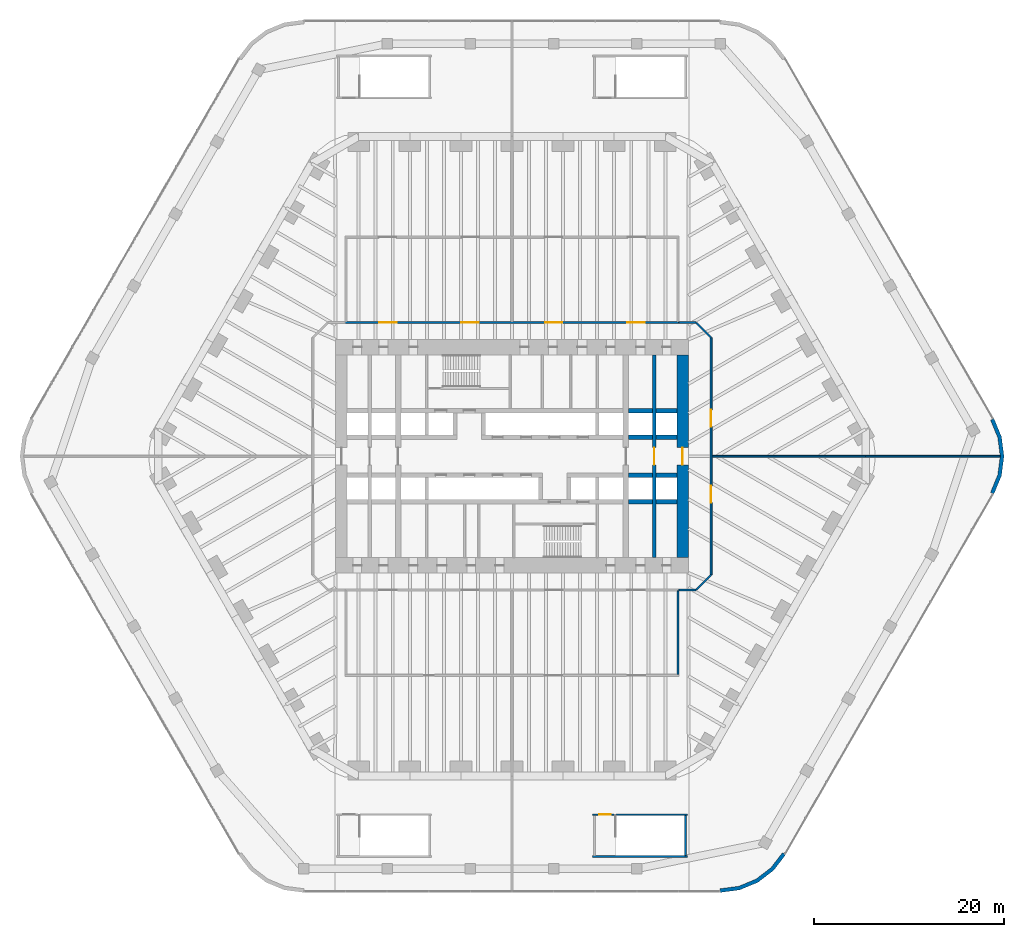
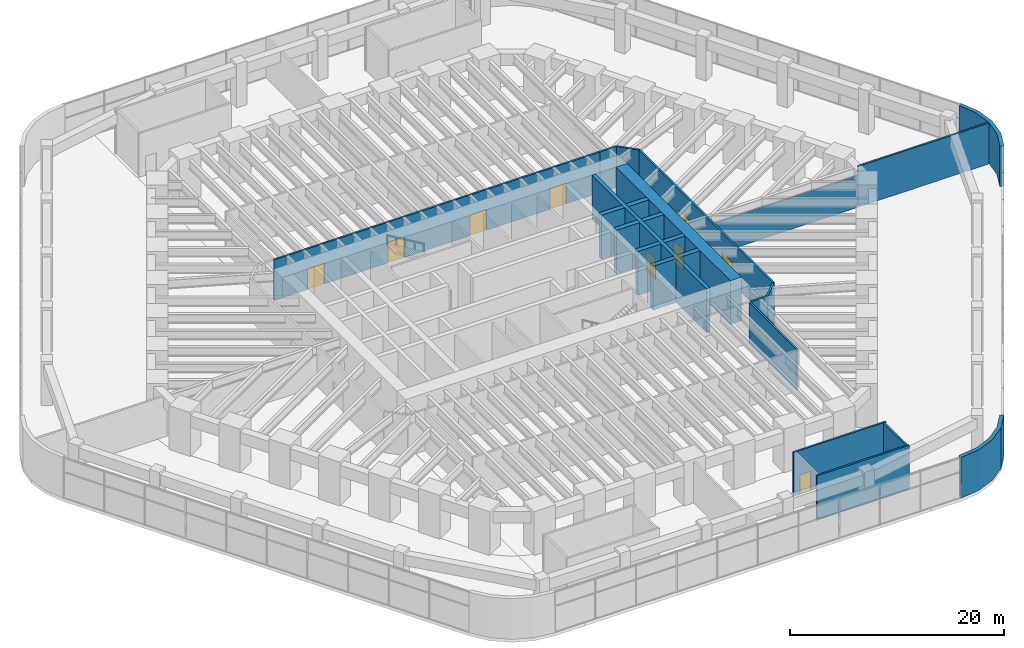
# One storey, part 29 of 31: 24 walls, 9 doors, 9 openings.
"""IFC4 building model written with IfcOpenShell, lengths in metres."""

from ifc_helpers import new_model, si_unit, direction, frame, frame_2d, origin, place, context, subcontext, project, spatial, polyline, rectangle, outline, extrude, material, layer, layer_set, type_object, element, fill, save


model = new_model("IFC4")

# Units and contexts
model_context = context("Model", 3, precision=1e-05, world=origin(), true_north=direction((0.0, 1.0)))
body_context = subcontext(model_context, "Body", "Model", "MODEL_VIEW")
ifc_project = project(units=[si_unit("LENGTHUNIT", "METRE"), si_unit("AREAUNIT", "SQUARE_METRE"), si_unit("VOLUMEUNIT", "CUBIC_METRE"), si_unit("PLANEANGLEUNIT", "RADIAN"), si_unit("MASSUNIT", "GRAM", prefix="KILO")], contexts=[model_context])

# Site, building, storey
site_placement = place(None, origin())
site = spatial("IfcSite", under=ifc_project, at=site_placement, CompositionType="ELEMENT")
building_placement = place(site_placement, origin())
building = spatial("IfcBuilding", under=site, at=building_placement, Name="Tarfa Lantern Tower", CompositionType="ELEMENT")
storey_placement = place(building_placement, frame((0.0, 0.0, 18.5)))
storey = spatial("IfcBuildingStorey", under=building, at=storey_placement, Name="L03", CompositionType="ELEMENT", Elevation=18.5)

# Walls
ifc_material_1 = material(Name="Limestone cladding on blockwork", Category="masonry")
ifc_layer_1 = layer(ifc_material_1, 0.39990234375)
ifc_layer_set_1 = layer_set([ifc_layer_1], Name="EW2 CURVED STONE CORNER 400")
wall_type_1 = type_object("IfcWallType", Name="EW2 CURVED STONE CORNER 400", PredefinedType="SOLIDWALL", material=ifc_layer_set_1)
wall_1_placement = place(storey_placement, origin())
element("IfcWall", 1, at=wall_1_placement, inside=storey, type_object=wall_type_1, Name="Stone corner S-SE", PredefinedType="SOLIDWALL", context=body_context, shape_type="SweptSolid", body=[
    extrude(outline(polyline([(21.939208984375, -46.0), (24.009765625, -45.727294921875), (25.939208984375, -44.92822265625), (27.59619140625, -43.65673828125), (28.867431640625, -42.0), (28.52099609375, -41.800048828125), (27.313232421875, -43.3740234375), (25.7392578125, -44.581787109375), (23.90625, -45.341064453125), (21.939208984375, -45.60009765625), (21.939208984375, -46.0)])), origin(), (0.0, 0.0, 1.0), 4.64990234375),
])
wall_2_placement = place(storey_placement, origin())
element("IfcWall", 2, at=wall_2_placement, inside=storey, type_object=wall_type_1, Name="Stone corner SE-NE", PredefinedType="SOLIDWALL", context=body_context, shape_type="SweptSolid", body=[
    extrude(outline(polyline([(50.806884765625, -4.0), (51.60595703125, -2.070556640625), (51.878662109375, 0.0), (51.60595703125, 2.070556640625), (50.806884765625, 4.0), (50.46044921875, 3.800048828125), (51.2197265625, 1.967041015625), (51.478515625, 0.0), (51.2197265625, -1.967041015625), (50.46044921875, -3.800048828125), (50.806884765625, -4.0)])), origin(), (0.0, 0.0, 1.0), 4.64990234375),
])

# Wall, openings, doors
ifc_material_2 = material(Name="Gypsum board on steel studs", Category="steel")
ifc_layer_2 = layer(ifc_material_2, 0.2099609375)
ifc_layer_set_2 = layer_set([ifc_layer_2], Name="IW2 ACOUSTIC PARTITION 200")
wall_type_2 = type_object("IfcWallType", Name="IW2 ACOUSTIC PARTITION 200", PredefinedType="PARTITIONING", material=ifc_layer_set_2)
wall_3_placement = place(storey_placement, frame((-17.60009765625, 14.10009765625, 0.0), z_axis=(0.0, 0.0, 1.0), x_axis=(1.0, 0.0, 0.0)))
wall_3 = element("IfcWall", 3, at=wall_3_placement, inside=storey, type_object=wall_type_2, Name="Partition", PredefinedType="PARTITIONING", context=body_context, shape_type="SweptSolid", body=[
    extrude(rectangle(XDim=35.2001953125, YDim=0.199951171875, at=frame_2d((17.60009765625, 0.0))), origin(), (0.0, 0.0, 1.0), 4.64990234375),
])
opening_1_placement = place(wall_3_placement, frame((3.625, 0.0, 0.0)))
opening_1 = element("IfcOpeningElement", 4, at=opening_1_placement, cuts=wall_3, Name="Opening D33", PredefinedType="OPENING", context=body_context, shape_type="SweptSolid", body=[
    extrude(rectangle(XDim=1.800048828125, YDim=2.39990234375, at=frame_2d((0.89990234375, 1.199951171875))), frame((0.0, 0.10986328125, 0.0), z_axis=(0.0, -1.0, 0.0), x_axis=(1.0, 0.0, 0.0)), (0.0, 0.0, 1.0), 0.219970703125),
])
opening_2_placement = place(wall_3_placement, frame((12.27490234375, 0.0, 0.0)))
opening_2 = element("IfcOpeningElement", 5, at=opening_2_placement, cuts=wall_3, Name="Opening D34", PredefinedType="OPENING", context=body_context, shape_type="SweptSolid", body=[
    extrude(rectangle(XDim=1.800048828125, YDim=2.39990234375, at=frame_2d((0.89990234375, 1.199951171875))), frame((0.0, 0.10986328125, 0.0), z_axis=(0.0, -1.0, 0.0), x_axis=(1.0, 0.0, 0.0)), (0.0, 0.0, 1.0), 0.219970703125),
])
opening_3_placement = place(wall_3_placement, frame((21.125, 0.0, 0.0)))
opening_3 = element("IfcOpeningElement", 6, at=opening_3_placement, cuts=wall_3, Name="Opening D35", PredefinedType="OPENING", context=body_context, shape_type="SweptSolid", body=[
    extrude(rectangle(XDim=1.800048828125, YDim=2.39990234375, at=frame_2d((0.89990234375, 1.199951171875))), frame((0.0, 0.10986328125, 0.0), z_axis=(0.0, -1.0, 0.0), x_axis=(1.0, 0.0, 0.0)), (0.0, 0.0, 1.0), 0.219970703125),
])
opening_4_placement = place(wall_3_placement, frame((29.77490234375, 0.0, 0.0)))
opening_4 = element("IfcOpeningElement", 7, at=opening_4_placement, cuts=wall_3, Name="Opening D36", PredefinedType="OPENING", context=body_context, shape_type="SweptSolid", body=[
    extrude(rectangle(XDim=1.800048828125, YDim=2.39990234375, at=frame_2d((0.89990234375, 1.199951171875))), frame((0.0, 0.10986328125, 0.0), z_axis=(0.0, -1.0, 0.0), x_axis=(1.0, 0.0, 0.0)), (0.0, 0.0, 1.0), 0.219970703125),
])
ifc_material_3 = material(Name="Timber door", Category="wood")
door_type_1 = type_object("IfcDoorType", Name="DR2 ROOM DOOR 1800x2400", OperationType="DOUBLE_DOOR_SINGLE_SWING", PredefinedType="DOOR", material=ifc_material_3)
door_1_placement = place(opening_1_placement, origin())
door_1 = element("IfcDoor", 8, at=door_1_placement, inside=storey, type_object=door_type_1, Name="Training room door", OperationType="DOUBLE_DOOR_SINGLE_SWING", OverallHeight=2.39990234375, OverallWidth=1.800048828125, PredefinedType="DOOR", context=body_context, shape_type="SweptSolid", body=[
    extrude(rectangle(XDim=1.800048828125, YDim=2.39990234375, at=frame_2d((0.89990234375, 1.199951171875))), frame((0.0, 0.02490234375, 0.0), z_axis=(0.0, -1.0, 0.0), x_axis=(1.0, 0.0, 0.0)), (0.0, 0.0, 1.0), 0.050048828125),
])
fill(opening_1, door_1)
door_2_placement = place(opening_2_placement, origin())
door_2 = element("IfcDoor", 9, at=door_2_placement, inside=storey, type_object=door_type_1, Name="Training room door", OperationType="DOUBLE_DOOR_SINGLE_SWING", OverallHeight=2.39990234375, OverallWidth=1.800048828125, PredefinedType="DOOR", context=body_context, shape_type="SweptSolid", body=[
    extrude(rectangle(XDim=1.800048828125, YDim=2.39990234375, at=frame_2d((0.89990234375, 1.199951171875))), frame((0.0, 0.02490234375, 0.0), z_axis=(0.0, -1.0, 0.0), x_axis=(1.0, 0.0, 0.0)), (0.0, 0.0, 1.0), 0.050048828125),
])
fill(opening_2, door_2)
door_3_placement = place(opening_3_placement, origin())
door_3 = element("IfcDoor", 10, at=door_3_placement, inside=storey, type_object=door_type_1, Name="Training room door", OperationType="DOUBLE_DOOR_SINGLE_SWING", OverallHeight=2.39990234375, OverallWidth=1.800048828125, PredefinedType="DOOR", context=body_context, shape_type="SweptSolid", body=[
    extrude(rectangle(XDim=1.800048828125, YDim=2.39990234375, at=frame_2d((0.89990234375, 1.199951171875))), frame((0.0, 0.02490234375, 0.0), z_axis=(0.0, -1.0, 0.0), x_axis=(1.0, 0.0, 0.0)), (0.0, 0.0, 1.0), 0.050048828125),
])
fill(opening_3, door_3)
door_4_placement = place(opening_4_placement, origin())
door_4 = element("IfcDoor", 11, at=door_4_placement, inside=storey, type_object=door_type_1, Name="Training room door", OperationType="DOUBLE_DOOR_SINGLE_SWING", OverallHeight=2.39990234375, OverallWidth=1.800048828125, PredefinedType="DOOR", context=body_context, shape_type="SweptSolid", body=[
    extrude(rectangle(XDim=1.800048828125, YDim=2.39990234375, at=frame_2d((0.89990234375, 1.199951171875))), frame((0.0, 0.02490234375, 0.0), z_axis=(0.0, -1.0, 0.0), x_axis=(1.0, 0.0, 0.0)), (0.0, 0.0, 1.0), 0.050048828125),
])
fill(opening_4, door_4)

# Walls
wall_4_placement = place(storey_placement, frame((17.5, -14.199951171875, 0.0), z_axis=(0.0, 0.0, 1.0), x_axis=(0.0, -1.0, 0.0)))
element("IfcWall", 12, at=wall_4_placement, inside=storey, type_object=wall_type_2, Name="Partition", PredefinedType="PARTITIONING", context=body_context, shape_type="SweptSolid", body=[
    extrude(rectangle(XDim=8.800048828125, YDim=0.199951171875, at=frame_2d((4.39990234375, 0.0))), origin(), (0.0, 0.0, 1.0), 4.64990234375),
])
wall_5_placement = place(storey_placement, frame((17.60009765625, 14.10009765625, 0.0), z_axis=(0.0, 0.0, 1.0), x_axis=(1.0, 0.0, 0.0)))
element("IfcWall", 13, at=wall_5_placement, inside=storey, type_object=wall_type_2, Name="Partition", PredefinedType="PARTITIONING", context=body_context, shape_type="SweptSolid", body=[
    extrude(rectangle(XDim=1.7998046875, YDim=0.199951171875, at=frame_2d((0.89990234375, 0.0))), origin(), (0.0, 0.0, 1.0), 4.64990234375),
])
wall_6_placement = place(storey_placement, frame((19.39990234375, 14.10009765625, 0.0), z_axis=(0.0, 0.0, 1.0), x_axis=(0.707106781187, -0.707106781187, 0.0)))
element("IfcWall", 14, at=wall_6_placement, inside=storey, type_object=wall_type_2, Name="Partition", PredefinedType="PARTITIONING", context=body_context, shape_type="SweptSolid", body=[
    extrude(rectangle(XDim=2.262939453125, YDim=0.199951171875, at=frame_2d((1.13134765625, 0.0))), origin(), (0.0, 0.0, 1.0), 4.64990234375),
])

# Wall, openings, doors
wall_7_placement = place(storey_placement, frame((21.0, 12.5, 0.0), z_axis=(0.0, 0.0, 1.0), x_axis=(0.0, -1.0, 0.0)))
wall_7 = element("IfcWall", 15, at=wall_7_placement, inside=storey, type_object=wall_type_2, Name="Partition", PredefinedType="PARTITIONING", context=body_context, shape_type="SweptSolid", body=[
    extrude(rectangle(XDim=25.0, YDim=0.199951171875, at=frame_2d((12.5, 0.0))), origin(), (0.0, 0.0, 1.0), 4.64990234375),
])
opening_5_placement = place(wall_7_placement, frame((7.60009765625, 0.0, 0.0)))
opening_5 = element("IfcOpeningElement", 16, at=opening_5_placement, cuts=wall_7, Name="Opening D48", PredefinedType="OPENING", context=body_context, shape_type="SweptSolid", body=[
    extrude(rectangle(XDim=1.800048828125, YDim=2.39990234375, at=frame_2d((0.89990234375, 1.199951171875))), frame((0.0, 0.10986328125, 0.0), z_axis=(0.0, -1.0, 0.0), x_axis=(1.0, 0.0, 0.0)), (0.0, 0.0, 1.0), 0.219970703125),
])
opening_6_placement = place(wall_7_placement, frame((15.60009765625, 0.0, 0.0)))
opening_6 = element("IfcOpeningElement", 17, at=opening_6_placement, cuts=wall_7, Name="Opening D50", PredefinedType="OPENING", context=body_context, shape_type="SweptSolid", body=[
    extrude(rectangle(XDim=1.800048828125, YDim=2.39990234375, at=frame_2d((0.89990234375, 1.199951171875))), frame((0.0, 0.10986328125, 0.0), z_axis=(0.0, -1.0, 0.0), x_axis=(1.0, 0.0, 0.0)), (0.0, 0.0, 1.0), 0.219970703125),
])
door_5_placement = place(opening_5_placement, origin())
door_5 = element("IfcDoor", 18, at=door_5_placement, inside=storey, type_object=door_type_1, Name="Occupational health centre door", OperationType="DOUBLE_DOOR_SINGLE_SWING", OverallHeight=2.39990234375, OverallWidth=1.800048828125, PredefinedType="DOOR", context=body_context, shape_type="SweptSolid", body=[
    extrude(rectangle(XDim=1.800048828125, YDim=2.39990234375, at=frame_2d((0.89990234375, 1.199951171875))), frame((0.0, 0.02490234375, 0.0), z_axis=(0.0, -1.0, 0.0), x_axis=(1.0, 0.0, 0.0)), (0.0, 0.0, 1.0), 0.050048828125),
])
fill(opening_5, door_5)
door_6_placement = place(opening_6_placement, origin())
door_6 = element("IfcDoor", 19, at=door_6_placement, inside=storey, type_object=door_type_1, Name="Human resources workplace door", OperationType="DOUBLE_DOOR_SINGLE_SWING", OverallHeight=2.39990234375, OverallWidth=1.800048828125, PredefinedType="DOOR", context=body_context, shape_type="SweptSolid", body=[
    extrude(rectangle(XDim=1.800048828125, YDim=2.39990234375, at=frame_2d((0.89990234375, 1.199951171875))), frame((0.0, 0.02490234375, 0.0), z_axis=(0.0, -1.0, 0.0), x_axis=(1.0, 0.0, 0.0)), (0.0, 0.0, 1.0), 0.050048828125),
])
fill(opening_6, door_6)

# Walls
wall_8_placement = place(storey_placement, frame((21.0, -12.5, 0.0), z_axis=(0.0, 0.0, 1.0), x_axis=(-0.707106781187, -0.707106781187, 0.0)))
element("IfcWall", 20, at=wall_8_placement, inside=storey, type_object=wall_type_2, Name="Partition", PredefinedType="PARTITIONING", context=body_context, shape_type="SweptSolid", body=[
    extrude(rectangle(XDim=2.262939453125, YDim=0.199951171875, at=frame_2d((1.13134765625, 0.0))), origin(), (0.0, 0.0, 1.0), 4.64990234375),
])
wall_9_placement = place(storey_placement, frame((19.39990234375, -14.10009765625, 0.0), z_axis=(0.0, 0.0, 1.0), x_axis=(-1.0, 0.0, 0.0)))
element("IfcWall", 21, at=wall_9_placement, inside=storey, type_object=wall_type_2, Name="Partition", PredefinedType="PARTITIONING", context=body_context, shape_type="SweptSolid", body=[
    extrude(rectangle(XDim=1.7998046875, YDim=0.199951171875, at=frame_2d((0.89990234375, 0.0))), origin(), (0.0, 0.0, 1.0), 4.64990234375),
])
wall_10_placement = place(storey_placement, frame((21.10009765625, 0.0, 0.0), z_axis=(0.0, 0.0, 1.0), x_axis=(1.0, 0.0, 0.0)))
element("IfcWall", 22, at=wall_10_placement, inside=storey, type_object=wall_type_2, Name="Partition", PredefinedType="PARTITIONING", context=body_context, shape_type="SweptSolid", body=[
    extrude(rectangle(XDim=16.185302734375, YDim=0.199951171875, at=frame_2d((8.0927734375, 0.0))), origin(), (0.0, 0.0, 1.0), 3.593994140625),
])
wall_11_placement = place(storey_placement, frame((37.285400390625, 0.0, 0.0), z_axis=(0.0, 0.0, 1.0), x_axis=(1.0, 0.0, 0.0)))
element("IfcWall", 23, at=wall_11_placement, inside=storey, type_object=wall_type_2, Name="Partition", PredefinedType="PARTITIONING", context=body_context, shape_type="SweptSolid", body=[
    extrude(rectangle(XDim=14.18017578125, YDim=0.199951171875, at=frame_2d((7.090087890625, 0.0))), origin(), (0.0, 0.0, 1.0), 4.64990234375),
])

# Wall, opening, door
ifc_material_4 = material(Name="Concrete C80/95", Category="concrete")
ifc_layer_3 = layer(ifc_material_4, 1.199951171875)
ifc_layer_set_3 = layer_set([ifc_layer_3], Name="SW1 CORE WALL 1200")
wall_type_3 = type_object("IfcWallType", Name="SW1 CORE WALL 1200", PredefinedType="SHEAR", material=ifc_layer_set_3)
wall_12_placement = place(storey_placement, frame((18.0, -10.699951171875, 0.0), z_axis=(0.0, 0.0, 1.0), x_axis=(0.0, 1.0, 0.0)))
wall_12 = element("IfcWall", 24, at=wall_12_placement, inside=storey, type_object=wall_type_3, Name="Core wall E", PredefinedType="SHEAR", context=body_context, shape_type="SweptSolid", body=[
    extrude(rectangle(XDim=21.39990234375, YDim=1.199951171875, at=frame_2d((10.699951171875, 0.0))), origin(), (0.0, 0.0, 1.0), 5.0),
])
opening_7_placement = place(wall_12_placement, frame((9.800048828125, 0.0, 0.0)))
opening_7 = element("IfcOpeningElement", 25, at=opening_7_placement, cuts=wall_12, Name="Opening D15", PredefinedType="OPENING", context=body_context, shape_type="SweptSolid", body=[
    extrude(rectangle(XDim=1.800048828125, YDim=2.39990234375, at=frame_2d((0.89990234375, 1.199951171875))), frame((0.0, 0.60986328125, 0.0), z_axis=(0.0, -1.0, 0.0), x_axis=(1.0, 0.0, 0.0)), (0.0, 0.0, 1.0), 1.219970703125),
])
ifc_material_5 = material(Name="Steel fire door", Category="steel")
door_type_2 = type_object("IfcDoorType", Name="DL1 LOBBY DOOR 1800x2400", OperationType="DOUBLE_DOOR_SINGLE_SWING", PredefinedType="DOOR", material=ifc_material_5)
door_7_placement = place(opening_7_placement, frame((1.800048828125, 0.0, 0.0), z_axis=(0.0, 0.0, 1.0), x_axis=(-1.0, 0.0, 0.0)))
door_7 = element("IfcDoor", 26, at=door_7_placement, inside=storey, type_object=door_type_2, Name="Lift lobby door", OperationType="DOUBLE_DOOR_SINGLE_SWING", OverallHeight=2.39990234375, OverallWidth=1.800048828125, PredefinedType="DOOR", context=body_context, shape_type="SweptSolid", body=[
    extrude(rectangle(XDim=1.800048828125, YDim=2.39990234375, at=frame_2d((0.89990234375, 1.199951171875))), frame((0.0, 0.02490234375, 0.0), z_axis=(0.0, -1.0, 0.0), x_axis=(1.0, 0.0, 0.0)), (0.0, 0.0, 1.0), 0.050048828125),
])
fill(opening_7, door_7)

# Wall
ifc_layer_4 = layer(ifc_material_4, 0.199951171875)
ifc_layer_set_4 = layer_set([ifc_layer_4], Name="SW12 CORE WALL 200")
wall_type_4 = type_object("IfcWallType", Name="SW12 CORE WALL 200", PredefinedType="SHEAR", material=ifc_layer_set_4)
wall_13_placement = place(storey_placement, frame((8.5, -42.199951171875, 0.0), z_axis=(0.0, 0.0, 1.0), x_axis=(1.0, 0.0, 0.0)))
element("IfcWall", 27, at=wall_13_placement, inside=storey, type_object=wall_type_4, Name="Stair ST6 shaft wall", PredefinedType="SHEAR", context=body_context, shape_type="SweptSolid", body=[
    extrude(rectangle(XDim=10.0, YDim=0.199951171875, at=frame_2d((5.0, 0.0))), origin(), (0.0, 0.0, 1.0), 5.0),
])

# Wall, opening, door
wall_14_placement = place(storey_placement, frame((18.5, -37.800048828125, 0.0), z_axis=(0.0, 0.0, 1.0), x_axis=(-1.0, 0.0, 0.0)))
wall_14 = element("IfcWall", 28, at=wall_14_placement, inside=storey, type_object=wall_type_4, Name="Stair ST6 shaft wall", PredefinedType="SHEAR", context=body_context, shape_type="SweptSolid", body=[
    extrude(rectangle(XDim=10.0, YDim=0.199951171875, at=frame_2d((5.0, 0.0))), origin(), (0.0, 0.0, 1.0), 5.0),
])
opening_8_placement = place(wall_14_placement, frame((8.10009765625, 0.0, 0.0)))
opening_8 = element("IfcOpeningElement", 29, at=opening_8_placement, cuts=wall_14, Name="Opening D32", PredefinedType="OPENING", context=body_context, shape_type="SweptSolid", body=[
    extrude(rectangle(XDim=1.199951171875, YDim=2.199951171875, at=frame_2d((0.60009765625, 1.10009765625))), frame((0.0, 0.10986328125, 0.0), z_axis=(0.0, -1.0, 0.0), x_axis=(1.0, 0.0, 0.0)), (0.0, 0.0, 1.0), 0.219970703125),
])
door_type_3 = type_object("IfcDoorType", Name="DF9 STAIR DOOR 1200x2200", OperationType="SINGLE_SWING_LEFT", PredefinedType="DOOR", material=ifc_material_5)
door_8_placement = place(opening_8_placement, frame((1.199951171875, 0.0, 0.0), z_axis=(0.0, 0.0, 1.0), x_axis=(-1.0, 0.0, 0.0)))
door_8 = element("IfcDoor", 30, at=door_8_placement, inside=storey, type_object=door_type_3, Name="Stair door", OperationType="SINGLE_SWING_RIGHT", OverallHeight=2.199951171875, OverallWidth=1.199951171875, PredefinedType="DOOR", context=body_context, shape_type="SweptSolid", body=[
    extrude(rectangle(XDim=1.199951171875, YDim=2.199951171875, at=frame_2d((0.60009765625, 1.10009765625))), frame((0.0, 0.02490234375, 0.0), z_axis=(0.0, -1.0, 0.0), x_axis=(1.0, 0.0, 0.0)), (0.0, 0.0, 1.0), 0.050048828125),
])
fill(opening_8, door_8)

# Walls
wall_15_placement = place(storey_placement, frame((18.300048828125, -42.10009765625, 0.0), z_axis=(0.0, 0.0, 1.0), x_axis=(0.0, 1.0, 0.0)))
element("IfcWall", 31, at=wall_15_placement, inside=storey, type_object=wall_type_4, Name="Stair ST6 shaft wall", PredefinedType="SHEAR", context=body_context, shape_type="SweptSolid", body=[
    extrude(rectangle(XDim=4.2001953125, YDim=0.199951171875, at=frame_2d((2.10009765625, 0.0))), origin(), (0.0, 0.0, 1.0), 5.0),
])
ifc_layer_5 = layer(ifc_material_4, 0.5)
ifc_layer_set_5 = layer_set([ifc_layer_5], Name="SW5 CORE WALL 500")
wall_type_5 = type_object("IfcWallType", Name="SW5 CORE WALL 500", PredefinedType="SHEAR", material=ifc_layer_set_5)
wall_16_placement = place(storey_placement, frame((12.300048828125, 2.0, 0.0), z_axis=(0.0, 0.0, 1.0), x_axis=(1.0, 0.0, 0.0)))
element("IfcWall", 32, at=wall_16_placement, inside=storey, type_object=wall_type_5, Name="Core wall lobby east N", PredefinedType="SHEAR", context=body_context, shape_type="SweptSolid", body=[
    extrude(rectangle(XDim=2.5, YDim=0.5, at=frame_2d((1.25, 0.0))), origin(), (0.0, 0.0, 1.0), 5.0),
])
wall_17_placement = place(storey_placement, frame((15.199951171875, 2.0, 0.0), z_axis=(0.0, 0.0, 1.0), x_axis=(1.0, 0.0, 0.0)))
element("IfcWall", 33, at=wall_17_placement, inside=storey, type_object=wall_type_5, Name="Core wall lobby east N", PredefinedType="SHEAR", context=body_context, shape_type="SweptSolid", body=[
    extrude(rectangle(XDim=2.199951171875, YDim=0.5, at=frame_2d((1.10009765625, 0.0))), origin(), (0.0, 0.0, 1.0), 5.0),
])
wall_18_placement = place(storey_placement, frame((12.300048828125, 4.800048828125, 0.0), z_axis=(0.0, 0.0, 1.0), x_axis=(1.0, 0.0, 0.0)))
element("IfcWall", 34, at=wall_18_placement, inside=storey, type_object=wall_type_5, Name="Core wall rear N", PredefinedType="SHEAR", context=body_context, shape_type="SweptSolid", body=[
    extrude(rectangle(XDim=2.5, YDim=0.5, at=frame_2d((1.25, 0.0))), origin(), (0.0, 0.0, 1.0), 5.0),
])
for number, where, z_axis, x_axis, name in (
    (35, (15.199951171875, 4.800048828125, 0.0), (0.0, 0.0, 1.0), (1.0, 0.0, 0.0), "Core wall rear N"),
    (36, (17.39990234375, -2.0, 0.0), (0.0, 0.0, 1.0), (-1.0, 0.0, 0.0), "Core wall lobby west S"),
):
    element("IfcWall", number, at=place(storey_placement, frame(where, z_axis=z_axis, x_axis=x_axis)), inside=storey, type_object=wall_type_5, Name=name, PredefinedType="SHEAR", context=body_context, shape_type="SweptSolid", body=[
        extrude(rectangle(XDim=2.199951171875, YDim=0.5, at=frame_2d((1.10009765625, 0.0))), origin(), (0.0, 0.0, 1.0), 5.0),
    ])
wall_19_placement = place(storey_placement, frame((14.800048828125, -2.0, 0.0), z_axis=(0.0, 0.0, 1.0), x_axis=(-1.0, 0.0, 0.0)))
element("IfcWall", 37, at=wall_19_placement, inside=storey, type_object=wall_type_5, Name="Core wall lobby west S", PredefinedType="SHEAR", context=body_context, shape_type="SweptSolid", body=[
    extrude(rectangle(XDim=2.5, YDim=0.5, at=frame_2d((1.25, 0.0))), origin(), (0.0, 0.0, 1.0), 5.0),
])
wall_20_placement = place(storey_placement, frame((17.39990234375, -4.800048828125, 0.0), z_axis=(0.0, 0.0, 1.0), x_axis=(-1.0, 0.0, 0.0)))
element("IfcWall", 38, at=wall_20_placement, inside=storey, type_object=wall_type_5, Name="Core wall rear S", PredefinedType="SHEAR", context=body_context, shape_type="SweptSolid", body=[
    extrude(rectangle(XDim=2.199951171875, YDim=0.5, at=frame_2d((1.10009765625, 0.0))), origin(), (0.0, 0.0, 1.0), 5.0),
])
wall_21_placement = place(storey_placement, frame((14.800048828125, -4.800048828125, 0.0), z_axis=(0.0, 0.0, 1.0), x_axis=(-1.0, 0.0, 0.0)))
element("IfcWall", 39, at=wall_21_placement, inside=storey, type_object=wall_type_5, Name="Core wall rear S", PredefinedType="SHEAR", context=body_context, shape_type="SweptSolid", body=[
    extrude(rectangle(XDim=2.5, YDim=0.5, at=frame_2d((1.25, 0.0))), origin(), (0.0, 0.0, 1.0), 5.0),
])

# Wall, opening, door
ifc_layer_6 = layer(ifc_material_4, 0.39990234375)
ifc_layer_set_6 = layer_set([ifc_layer_6], Name="SW6 CORE WALL 400")
wall_type_6 = type_object("IfcWallType", Name="SW6 CORE WALL 400", PredefinedType="SHEAR", material=ifc_layer_set_6)
wall_22_placement = place(storey_placement, frame((15.0, -10.699951171875, 0.0), z_axis=(0.0, 0.0, 1.0), x_axis=(0.0, 1.0, 0.0)))
wall_22 = element("IfcWall", 40, at=wall_22_placement, inside=storey, type_object=wall_type_6, Name="Core wall cross 15 m east", PredefinedType="SHEAR", context=body_context, shape_type="SweptSolid", body=[
    extrude(rectangle(XDim=21.39990234375, YDim=0.39990234375, at=frame_2d((10.699951171875, 0.0))), origin(), (0.0, 0.0, 1.0), 5.0),
])
opening_9_placement = place(wall_22_placement, frame((9.800048828125, 0.0, 0.0)))
opening_9 = element("IfcOpeningElement", 41, at=opening_9_placement, cuts=wall_22, Name="Opening D26", PredefinedType="OPENING", context=body_context, shape_type="SweptSolid", body=[
    extrude(rectangle(XDim=1.800048828125, YDim=2.39990234375, at=frame_2d((0.89990234375, 1.199951171875))), frame((0.0, 0.2099609375, 0.0), z_axis=(0.0, -1.0, 0.0), x_axis=(1.0, 0.0, 0.0)), (0.0, 0.0, 1.0), 0.419921875),
])
door_9_placement = place(opening_9_placement, origin())
door_9 = element("IfcDoor", 42, at=door_9_placement, inside=storey, type_object=door_type_2, Name="Lift lobby door", OperationType="DOUBLE_DOOR_SINGLE_SWING", OverallHeight=2.39990234375, OverallWidth=1.800048828125, PredefinedType="DOOR", context=body_context, shape_type="SweptSolid", body=[
    extrude(rectangle(XDim=1.800048828125, YDim=2.39990234375, at=frame_2d((0.89990234375, 1.199951171875))), frame((0.0, 0.02490234375, 0.0), z_axis=(0.0, -1.0, 0.0), x_axis=(1.0, 0.0, 0.0)), (0.0, 0.0, 1.0), 0.050048828125),
])
fill(opening_9, door_9)

save(model, "model.ifc")
